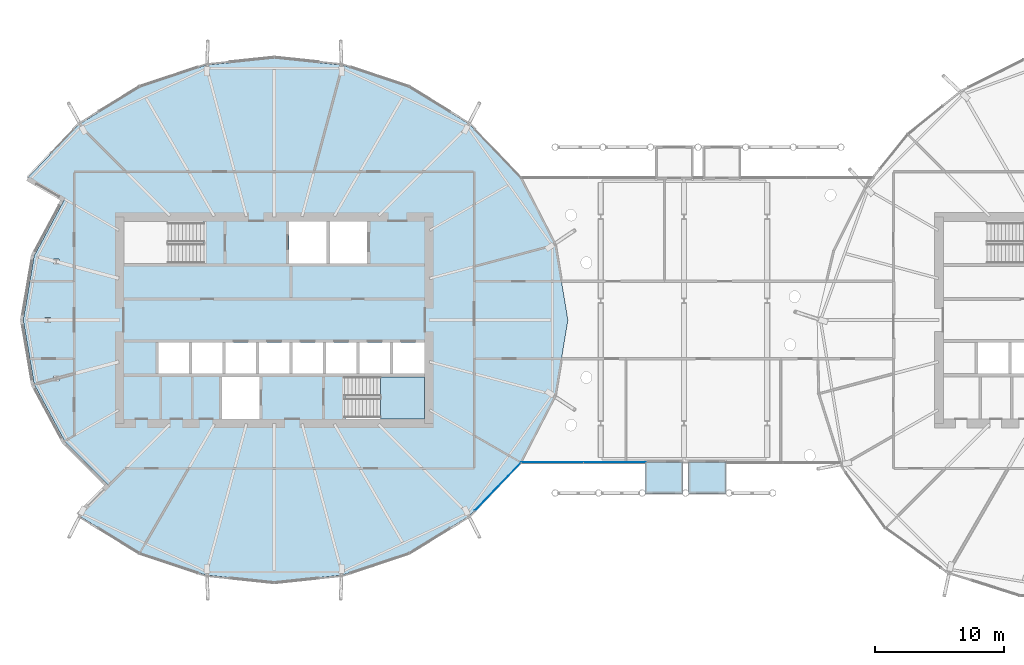
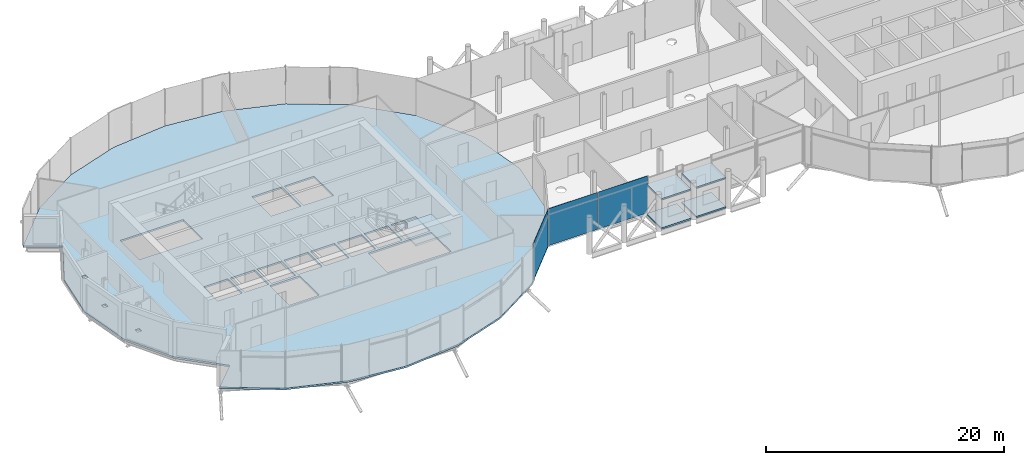
# One storey, part 20 of 40: 6 slabs, 3 plates, 3 elements without a shape of their own.
"""IFC4 building model written with IfcOpenShell, lengths in metres."""

from ifc_helpers import new_model, si_unit, direction, frame, origin, origin_2d, place, context, subcontext, project, spatial, polyline, rectangle, outline, extrude, material, layer, layer_set, type_object, element, aggregate, save


model = new_model("IFC4")

# Units and contexts
model_context = context("Model", 3, precision=1e-05, world=origin(), true_north=direction((0.0, 1.0)))
body_context = subcontext(model_context, "Body", "Model", "MODEL_VIEW")
ifc_project = project(units=[si_unit("LENGTHUNIT", "METRE"), si_unit("AREAUNIT", "SQUARE_METRE"), si_unit("VOLUMEUNIT", "CUBIC_METRE"), si_unit("PLANEANGLEUNIT", "RADIAN"), si_unit("MASSUNIT", "GRAM", prefix="KILO")], contexts=[model_context])

# Site, building, storey
site_placement = place(None, origin())
site = spatial("IfcSite", under=ifc_project, at=site_placement, CompositionType="ELEMENT")
building_placement = place(site_placement, origin())
building = spatial("IfcBuilding", under=site, at=building_placement, Name="Rimbun Link Towers", CompositionType="ELEMENT")
storey_placement = place(building_placement, frame((0.0, 0.0, 150.60009765625)))
storey = spatial("IfcBuildingStorey", under=building, at=storey_placement, Name="L36", CompositionType="ELEMENT", Elevation=150.60009765625)

# Slabs
ifc_material_1 = material(Name="Insulated metal floor panel on steel frame", Category="steel")
ifc_layer_1 = layer(ifc_material_1, 0.159912109375)
ifc_layer_set_1 = layer_set([ifc_layer_1], Name="CAPSULE floor panel 160")
slab_type_1 = type_object("IfcSlabType", Name="CAPSULE floor panel 160", PredefinedType="FLOOR", material=ifc_layer_set_1)
slab_1_placement = place(storey_placement, frame((0.0, 0.0, -0.22021484375)))
element("IfcSlab", 1, at=slab_1_placement, inside=storey, type_object=slab_type_1, Name="CAPSULE F36.11 floor panel", PredefinedType="FLOOR", context=body_context, shape_type="SweptSolid", body=[
    extrude(outline(polyline([(-0.105712890625, -11.0), (-3.005615234375, -11.0), (-3.005615234375, -13.449951171875), (-0.105712890625, -13.449951171875), (-0.105712890625, -11.0)])), origin(), (0.0, 0.0, 1.0), 0.16015625),
])
slab_2_placement = place(storey_placement, frame((0.0, 0.0, -0.22021484375)))
element("IfcSlab", 2, at=slab_2_placement, inside=storey, type_object=slab_type_1, Name="CAPSULE F36.12 floor panel", PredefinedType="FLOOR", context=body_context, shape_type="SweptSolid", body=[
    extrude(outline(polyline([(3.26318359375, -11.0), (0.36328125, -11.0), (0.36328125, -13.449951171875), (3.26318359375, -13.449951171875), (3.26318359375, -11.0)])), origin(), (0.0, 0.0, 1.0), 0.16015625),
])
ifc_material_2 = material(Name="Insulated metal roof panel with terracotta fascia", Category="masonry")
ifc_layer_2 = layer(ifc_material_2, 0.14990234375)
ifc_layer_set_2 = layer_set([ifc_layer_2], Name="CAPSULE roof panel 150")
slab_type_2 = type_object("IfcSlabType", Name="CAPSULE roof panel 150", PredefinedType="ROOF", material=ifc_layer_set_2)
slab_3_placement = place(storey_placement, frame((0.0, 0.0, 2.789794921875)))
element("IfcSlab", 3, at=slab_3_placement, inside=storey, type_object=slab_type_2, Name="CAPSULE F36.11 roof panel", PredefinedType="ROOF", context=body_context, shape_type="SweptSolid", body=[
    extrude(outline(polyline([(-3.005615234375, -13.449951171875), (-0.105712890625, -13.449951171875), (-0.105712890625, -10.949951171875), (-3.005615234375, -10.949951171875), (-3.005615234375, -13.449951171875)])), origin(), (0.0, 0.0, 1.0), 0.150146484375),
])
slab_4_placement = place(storey_placement, frame((0.0, 0.0, 2.789794921875)))
element("IfcSlab", 4, at=slab_4_placement, inside=storey, type_object=slab_type_2, Name="CAPSULE F36.12 roof panel", PredefinedType="ROOF", context=body_context, shape_type="SweptSolid", body=[
    extrude(outline(polyline([(0.36328125, -13.449951171875), (3.26318359375, -13.449951171875), (3.26318359375, -10.949951171875), (0.36328125, -10.949951171875), (0.36328125, -13.449951171875)])), origin(), (0.0, 0.0, 1.0), 0.150146484375),
])
ifc_material_3 = material(Name="Concrete C35/45", Category="concrete")
ifc_layer_3 = layer(ifc_material_3, 0.179931640625)
ifc_layer_set_3 = layer_set([ifc_layer_3], Name="COMPOSITE FLOOR 180")
slab_type_3 = type_object("IfcSlabType", Name="COMPOSITE FLOOR 180", PredefinedType="FLOOR", material=ifc_layer_set_3)
slab_5_placement = place(storey_placement, frame((0.0, 0.0, -0.18017578125)))
element("IfcSlab", 5, at=slab_5_placement, inside=storey, type_object=slab_type_3, Name="Floor slab T1 L36", PredefinedType="FLOOR", context=body_context, shape_type="SweptSolid", body=[
    extrude(outline(polyline([(-46.904296875, 15.154296875), (-42.175537109375, 18.0576171875), (-37.044189453125, 19.758056640625), (-31.75, 20.315673828125), (-26.455810546875, 19.758056640625), (-21.324462890625, 18.0576171875), (-16.595703125, 15.154296875), (-12.643310546875, 11.03125), (-9.956787109375, 5.839599609375), (-8.99658203125, 0.0), (-9.956787109375, -5.839599609375), (-12.643310546875, -11.03125), (-16.595703125, -15.154296875), (-21.324462890625, -18.0576171875), (-26.455810546875, -19.758056640625), (-31.75, -20.315673828125), (-37.044189453125, -19.758056640625), (-42.175537109375, -18.0576171875), (-46.904296875, -15.154296875), (-44.57080078125, -12.82080078125), (-47.9990234375, -9.38134765625), (-50.355712890625, -4.9853515625), (-51.20361328125, 0.0), (-50.355712890625, 4.9853515625), (-47.9990234375, 9.38134765625), (-50.856689453125, 11.03125), (-46.904296875, 15.154296875)]), holes=[polyline([(-32.89990234375, -7.64990234375), (-32.89990234375, -4.39990234375), (-35.800048828125, -4.39990234375), (-35.800048828125, -7.64990234375), (-32.89990234375, -7.64990234375)]), polyline([(-48.439453125, -4.72216796875), (-48.439453125, -4.32861328125), (-48.83837890625, -4.32861328125), (-48.83837890625, -4.72216796875), (-48.439453125, -4.72216796875)]), polyline([(-38.361083984375, -4.14990234375), (-38.361083984375, -1.75), (-40.70556640625, -1.75), (-40.70556640625, -4.14990234375), (-38.361083984375, -4.14990234375)]), polyline([(-35.7666015625, -4.14990234375), (-35.7666015625, -1.75), (-38.111083984375, -1.75), (-38.111083984375, -4.14990234375), (-35.7666015625, -4.14990234375)]), polyline([(-33.172119140625, -4.14990234375), (-33.172119140625, -1.75), (-35.5166015625, -1.75), (-35.5166015625, -4.14990234375), (-33.172119140625, -4.14990234375)]), polyline([(-49.0986328125, -0.19677734375), (-49.0986328125, 0.19677734375), (-49.497802734375, 0.19677734375), (-49.497802734375, -0.19677734375), (-49.0986328125, -0.19677734375)]), polyline([(-48.439453125, 4.32861328125), (-48.439453125, 4.72216796875), (-48.83837890625, 4.72216796875), (-48.83837890625, 4.32861328125), (-48.439453125, 4.32861328125)]), polyline([(-37.260009765625, 4.39990234375), (-37.260009765625, 7.64990234375), (-43.39990234375, 7.64990234375), (-43.39990234375, 4.39990234375), (-37.260009765625, 4.39990234375)]), polyline([(-20.10009765625, -7.64990234375), (-20.10009765625, -4.39990234375), (-26.239990234375, -4.39990234375), (-26.239990234375, -7.64990234375), (-20.10009765625, -7.64990234375)]), polyline([(-30.577880859375, -4.14990234375), (-30.577880859375, -1.75), (-32.922119140625, -1.75), (-32.922119140625, -4.14990234375), (-30.577880859375, -4.14990234375)]), polyline([(-27.9833984375, -4.14990234375), (-27.9833984375, -1.75), (-30.327880859375, -1.75), (-30.327880859375, -4.14990234375), (-27.9833984375, -4.14990234375)]), polyline([(-25.388916015625, -4.14990234375), (-25.388916015625, -1.75), (-27.7333984375, -1.75), (-27.7333984375, -4.14990234375), (-25.388916015625, -4.14990234375)]), polyline([(-22.79443359375, -4.14990234375), (-22.79443359375, -1.75), (-25.138916015625, -1.75), (-25.138916015625, -4.14990234375), (-22.79443359375, -4.14990234375)]), polyline([(-20.10009765625, -4.14990234375), (-20.10009765625, -1.75), (-22.54443359375, -1.75), (-22.54443359375, -4.14990234375), (-20.10009765625, -4.14990234375)]), polyline([(-27.699951171875, 4.39990234375), (-27.699951171875, 7.64990234375), (-30.60009765625, 7.64990234375), (-30.60009765625, 4.39990234375), (-27.699951171875, 4.39990234375)]), polyline([(-24.550048828125, 4.39990234375), (-24.550048828125, 7.64990234375), (-27.449951171875, 7.64990234375), (-27.449951171875, 4.39990234375), (-24.550048828125, 4.39990234375)])]), origin(), (0.0, 0.0, 1.0), 0.18017578125),
])

# Curtain wall, plate
ifc_material_4 = material(Name="Aluminium 6063-T6 and low-iron glass", Category="aluminium")
curtain_wall_type = type_object("IfcCurtainWallType", Name="CW4 link block wall", PredefinedType="NOTDEFINED", material=ifc_material_4)
curtain_wall_1_placement = place(storey_placement, origin())
curtain_wall_1 = element("IfcCurtainWall", 6, at=curtain_wall_1_placement, inside=storey, type_object=curtain_wall_type, Name="CW4 L36 LB", PredefinedType="NOTDEFINED")
ifc_material_5 = material(Name="Aluminium cladding, insulated panel", Category="aluminium")
ifc_layer_4 = layer(ifc_material_5, 0.028076171875)
ifc_layer_set_4 = layer_set([ifc_layer_4], Name="CW4 insulated panel Aluminium cladding 28")
plate_type_1 = type_object("IfcPlateType", Name="CW4 insulated panel Aluminium cladding 28", PredefinedType="CURTAIN_PANEL", material=ifc_layer_set_4)
plate_1_placement = place(storey_placement, frame((-10.209228515625, -11.013916015625, 0.0), z_axis=(0.0, 0.0, 1.0), x_axis=(-1.0, 0.0, 0.0)))
plate_1 = element("IfcPlate", 7, at=plate_1_placement, type_object=plate_type_1, Name="CW4 insulated panel", PredefinedType="CURTAIN_PANEL", context=body_context, shape_type="SweptSolid", body=[
    extrude(rectangle(XDim=4.795654296875, YDim=0.028076171875, at=origin_2d()), origin(), (0.0, 0.0, 1.0), 3.800048828125),
])

curtain_wall_2_placement = place(storey_placement, origin())
curtain_wall_2 = element("IfcCurtainWall", 8, at=curtain_wall_2_placement, inside=storey, type_object=curtain_wall_type, Name="CW4 L36 T1", PredefinedType="NOTDEFINED")
ifc_material_6 = material(Name="Low-iron glass, laminated low-e unit", Category="glass")
ifc_layer_5 = layer(ifc_material_6, 0.028076171875)
ifc_layer_set_5 = layer_set([ifc_layer_5], Name="CW4 panel Low-iron glass 28")
plate_type_2 = type_object("IfcPlateType", Name="CW4 panel Low-iron glass 28", PredefinedType="CURTAIN_PANEL", material=ifc_layer_set_5)
plate_2_placement = place(storey_placement, frame((-14.419189453125, -12.90380859375, 0.0), z_axis=(0.0, 0.0, 1.0), x_axis=(-0.692041109252, -0.721858090698, 0.0)))
plate_2 = element("IfcPlate", 9, at=plate_2_placement, type_object=plate_type_2, Name="CW4 panel", PredefinedType="CURTAIN_PANEL", context=body_context, shape_type="SweptSolid", body=[
    extrude(rectangle(XDim=5.12158203125, YDim=0.028076171875, at=origin_2d()), origin(), (0.0, 0.0, 1.0), 3.800048828125),
])
aggregate(curtain_wall_2, [plate_2])

# Plate
plate_3_placement = place(storey_placement, frame((-5.37353515625, -11.013916015625, 0.0), z_axis=(0.0, 0.0, 1.0), x_axis=(-1.0, 0.0, 0.0)))
plate_3 = element("IfcPlate", 10, at=plate_3_placement, type_object=plate_type_2, Name="CW4 panel", PredefinedType="CURTAIN_PANEL", context=body_context, shape_type="SweptSolid", body=[
    extrude(rectangle(XDim=4.795654296875, YDim=0.028076171875, at=origin_2d()), origin(), (0.0, 0.0, 1.0), 3.800048828125),
])

aggregate(curtain_wall_1, [plate_3, plate_1])

# Stair, slab
ifc_material_7 = material(Name="Concrete C40/50", Category="concrete")
stair_type = type_object("IfcStairType", Name="Exit stair 3800 rise", PredefinedType="HALF_TURN_STAIR", material=ifc_material_7)
stair_placement = place(storey_placement, origin())
stair = element("IfcStair", 11, at=stair_placement, inside=storey, type_object=stair_type, Name="L36 EXIT STAIR B", PredefinedType="HALF_TURN_STAIR")
ifc_material_8 = material(Name="Concrete C40/50", Category="concrete")
ifc_layer_6 = layer(ifc_material_8, 0.199951171875)
ifc_layer_set_6 = layer_set([ifc_layer_6], Name="Stair landing")
slab_type_4 = type_object("IfcSlabType", Name="Stair landing", PredefinedType="LANDING", material=ifc_layer_set_6)
slab_6_placement = place(storey_placement, frame((0.0, 0.0, 1.699951171875)))
slab_6 = element("IfcSlab", 12, at=slab_6_placement, type_object=slab_type_4, Name="ST2 landing 1", PredefinedType="LANDING", context=body_context, shape_type="SweptSolid", body=[
    extrude(outline(polyline([(-23.5, -7.64990234375), (-20.10009765625, -7.64990234375), (-20.10009765625, -4.39990234375), (-23.5, -4.39990234375), (-23.5, -7.64990234375)])), origin(), (0.0, 0.0, 1.0), 0.199951171875),
])
aggregate(stair, [slab_6])

save(model, "model.ifc")
